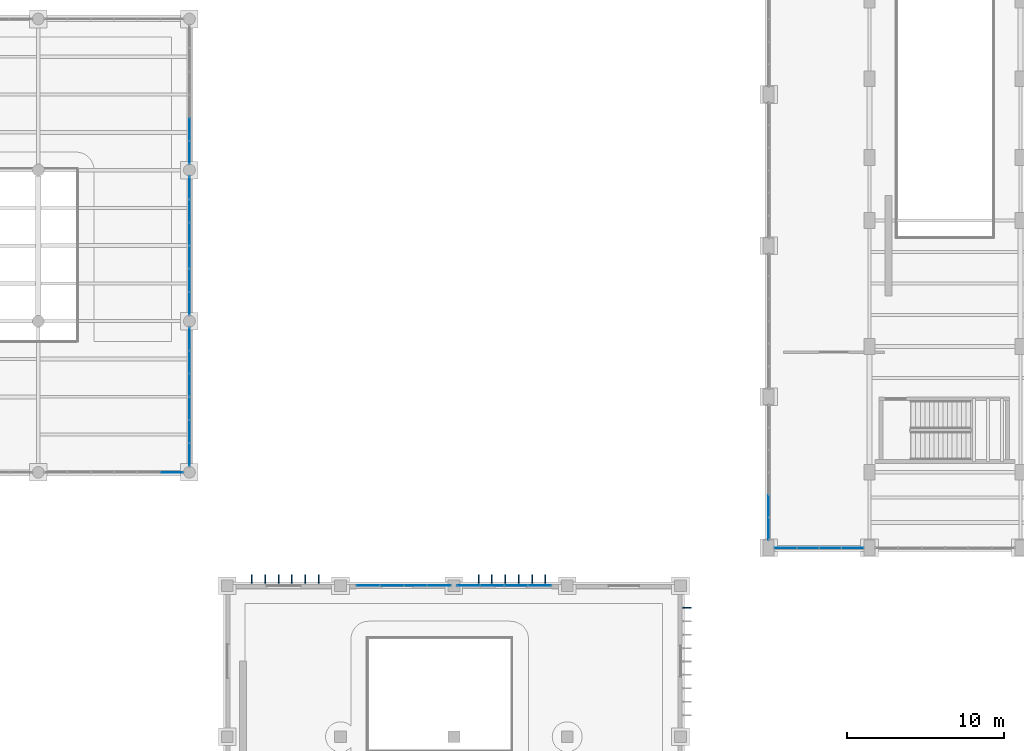
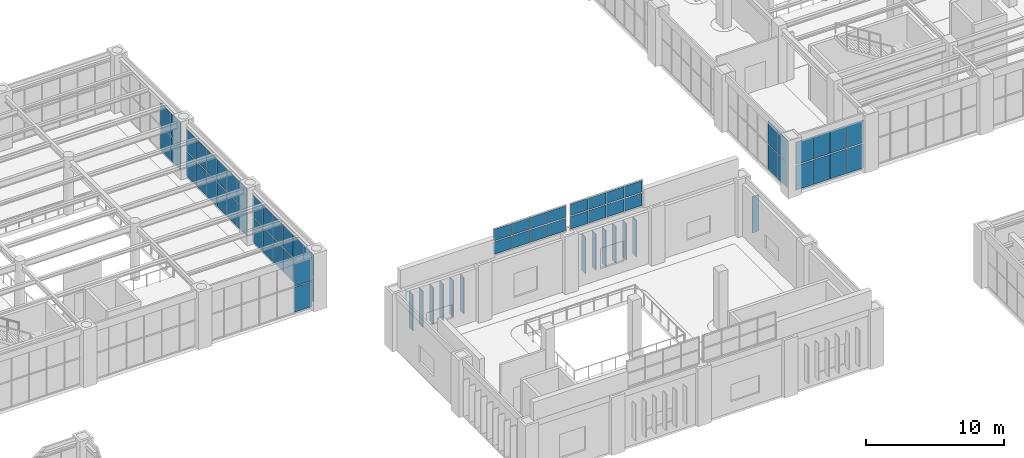
# One storey, part 128 of 174: 71 plates, 8 elements without a shape of their own.
"""IFC4 building model written with IfcOpenShell, lengths in metres."""

from ifc_helpers import new_model, si_unit, direction, frame, origin, origin_2d, place, context, subcontext, project, spatial, rectangle, extrude, material, layer, layer_set, type_object, element, aggregate, save


model = new_model("IFC4")

# Units and contexts
model_context = context("Model", 3, precision=1e-05, world=origin(), true_north=direction((0.0, 1.0)))
body_context = subcontext(model_context, "Body", "Model", "MODEL_VIEW")
ifc_project = project(units=[si_unit("LENGTHUNIT", "METRE"), si_unit("AREAUNIT", "SQUARE_METRE"), si_unit("VOLUMEUNIT", "CUBIC_METRE"), si_unit("PLANEANGLEUNIT", "RADIAN"), si_unit("MASSUNIT", "GRAM", prefix="KILO")], contexts=[model_context])

# Site, building, storey
site_placement = place(None, origin())
site = spatial("IfcSite", under=ifc_project, at=site_placement, CompositionType="ELEMENT")
building_placement = place(site_placement, origin())
building = spatial("IfcBuilding", under=site, at=building_placement, Name="Mavantir Sound Aquarium", CompositionType="ELEMENT")
storey_placement = place(building_placement, frame((0.0, 0.0, 5.39990234375)))
storey = spatial("IfcBuildingStorey", under=building, at=storey_placement, Name="L01", CompositionType="ELEMENT", Elevation=5.39990234375)

# Curtain wall, plates
ifc_material_1 = material(Name="Anodised Marine Aluminium and Low-E Glass", Category="aluminium")
curtain_wall_type_1 = type_object("IfcCurtainWallType", Name="CW-T07", PredefinedType="USERDEFINED", material=ifc_material_1)
curtain_wall_1_placement = place(storey_placement, origin())
curtain_wall_1 = element("IfcCurtainWall", 1, at=curtain_wall_1_placement, inside=storey, type_object=curtain_wall_type_1, Name="L01 unitised curtain wall CW-07 55", ObjectType="UNITISED GLAZING", PredefinedType="USERDEFINED")
ifc_material_2 = material(Name="Solar-Control Laminated Low-E Glass", Category="glass")
ifc_layer_1 = layer(ifc_material_2, 0.028076171875, Name="Solar-Control Laminated Low-E Glass")
ifc_layer_set_1 = layer_set([ifc_layer_1], Name="Solar-Control Laminated Low-E Glass")
plate_type_1 = type_object("IfcPlateType", Name="CW-PNL-28", PredefinedType="CURTAIN_PANEL", material=ifc_layer_set_1)
plate_1_placement = place(storey_placement, frame((64.800048828125, 41.919189453125, 0.10302734375), z_axis=(0.0, 0.0, 1.0), x_axis=(0.0, 1.0, 0.0)))
plate_1 = element("IfcPlate", 2, at=plate_1_placement, type_object=plate_type_1, Name="CW-L01-055 glazed curtain panel 1.1", PredefinedType="CURTAIN_PANEL", context=body_context, shape_type="SweptSolid", body=[
    extrude(rectangle(XDim=1.42431640625, YDim=0.028076171875, at=origin_2d()), origin(), (0.0, 0.0, 1.0), 2.10009765625),
])
plate_2_placement = place(storey_placement, frame((64.800048828125, 41.919189453125, 2.29931640625), z_axis=(0.0, 0.0, 1.0), x_axis=(0.0, 1.0, 0.0)))
plate_2 = element("IfcPlate", 3, at=plate_2_placement, type_object=plate_type_1, Name="CW-L01-055 glazed curtain panel 1.2", PredefinedType="CURTAIN_PANEL", context=body_context, shape_type="SweptSolid", body=[
    extrude(rectangle(XDim=1.42431640625, YDim=0.028076171875, at=origin_2d()), origin(), (0.0, 0.0, 1.0), 1.927001953125),
])
plate_3_placement = place(storey_placement, frame((64.800048828125, 43.3916015625, 0.10302734375), z_axis=(0.0, 0.0, 1.0), x_axis=(0.0, 1.0, 0.0)))
plate_3 = element("IfcPlate", 4, at=plate_3_placement, type_object=plate_type_1, Name="CW-L01-055 glazed curtain panel 2.1", PredefinedType="CURTAIN_PANEL", context=body_context, shape_type="SweptSolid", body=[
    extrude(rectangle(XDim=1.42431640625, YDim=0.028076171875, at=origin_2d()), origin(), (0.0, 0.0, 1.0), 2.10009765625),
])
plate_4_placement = place(storey_placement, frame((64.800048828125, 43.3916015625, 2.29931640625), z_axis=(0.0, 0.0, 1.0), x_axis=(0.0, 1.0, 0.0)))
plate_4 = element("IfcPlate", 5, at=plate_4_placement, type_object=plate_type_1, Name="CW-L01-055 glazed curtain panel 2.2", PredefinedType="CURTAIN_PANEL", context=body_context, shape_type="SweptSolid", body=[
    extrude(rectangle(XDim=1.42431640625, YDim=0.028076171875, at=origin_2d()), origin(), (0.0, 0.0, 1.0), 1.927001953125),
])
plate_5_placement = place(storey_placement, frame((64.800048828125, 44.86376953125, 0.10302734375), z_axis=(0.0, 0.0, 1.0), x_axis=(0.0, 1.0, 0.0)))
plate_5 = element("IfcPlate", 6, at=plate_5_placement, type_object=plate_type_1, Name="CW-L01-055 glazed curtain panel 3.1", PredefinedType="CURTAIN_PANEL", context=body_context, shape_type="SweptSolid", body=[
    extrude(rectangle(XDim=1.42431640625, YDim=0.028076171875, at=origin_2d()), origin(), (0.0, 0.0, 1.0), 2.10009765625),
])
plate_6_placement = place(storey_placement, frame((64.800048828125, 44.86376953125, 2.29931640625), z_axis=(0.0, 0.0, 1.0), x_axis=(0.0, 1.0, 0.0)))
plate_6 = element("IfcPlate", 7, at=plate_6_placement, type_object=plate_type_1, Name="CW-L01-055 glazed curtain panel 3.2", PredefinedType="CURTAIN_PANEL", context=body_context, shape_type="SweptSolid", body=[
    extrude(rectangle(XDim=1.42431640625, YDim=0.028076171875, at=origin_2d()), origin(), (0.0, 0.0, 1.0), 1.927001953125),
])
plate_7_placement = place(storey_placement, frame((64.800048828125, 46.336181640625, 0.10302734375), z_axis=(0.0, 0.0, 1.0), x_axis=(0.0, 1.0, 0.0)))
plate_7 = element("IfcPlate", 8, at=plate_7_placement, type_object=plate_type_1, Name="CW-L01-055 glazed curtain panel 4.1", PredefinedType="CURTAIN_PANEL", context=body_context, shape_type="SweptSolid", body=[
    extrude(rectangle(XDim=1.42431640625, YDim=0.028076171875, at=origin_2d()), origin(), (0.0, 0.0, 1.0), 2.10009765625),
])
plate_8_placement = place(storey_placement, frame((64.800048828125, 46.336181640625, 2.29931640625), z_axis=(0.0, 0.0, 1.0), x_axis=(0.0, 1.0, 0.0)))
plate_8 = element("IfcPlate", 9, at=plate_8_placement, type_object=plate_type_1, Name="CW-L01-055 glazed curtain panel 4.2", PredefinedType="CURTAIN_PANEL", context=body_context, shape_type="SweptSolid", body=[
    extrude(rectangle(XDim=1.42431640625, YDim=0.028076171875, at=origin_2d()), origin(), (0.0, 0.0, 1.0), 1.927001953125),
])
plate_9_placement = place(storey_placement, frame((64.800048828125, 47.80859375, 0.10302734375), z_axis=(0.0, 0.0, 1.0), x_axis=(0.0, 1.0, 0.0)))
plate_9 = element("IfcPlate", 10, at=plate_9_placement, type_object=plate_type_1, Name="CW-L01-055 glazed curtain panel 5.1", PredefinedType="CURTAIN_PANEL", context=body_context, shape_type="SweptSolid", body=[
    extrude(rectangle(XDim=1.42431640625, YDim=0.028076171875, at=origin_2d()), origin(), (0.0, 0.0, 1.0), 2.10009765625),
])
plate_10_placement = place(storey_placement, frame((64.800048828125, 47.80859375, 2.29931640625), z_axis=(0.0, 0.0, 1.0), x_axis=(0.0, 1.0, 0.0)))
plate_10 = element("IfcPlate", 11, at=plate_10_placement, type_object=plate_type_1, Name="CW-L01-055 glazed curtain panel 5.2", PredefinedType="CURTAIN_PANEL", context=body_context, shape_type="SweptSolid", body=[
    extrude(rectangle(XDim=1.42431640625, YDim=0.028076171875, at=origin_2d()), origin(), (0.0, 0.0, 1.0), 1.927001953125),
])
plate_11_placement = place(storey_placement, frame((64.800048828125, 49.28076171875, 0.10302734375), z_axis=(0.0, 0.0, 1.0), x_axis=(0.0, 1.0, 0.0)))
plate_11 = element("IfcPlate", 12, at=plate_11_placement, type_object=plate_type_1, Name="CW-L01-055 glazed curtain panel 6.1", PredefinedType="CURTAIN_PANEL", context=body_context, shape_type="SweptSolid", body=[
    extrude(rectangle(XDim=1.42431640625, YDim=0.028076171875, at=origin_2d()), origin(), (0.0, 0.0, 1.0), 2.10009765625),
])
plate_12_placement = place(storey_placement, frame((64.800048828125, 49.28076171875, 2.29931640625), z_axis=(0.0, 0.0, 1.0), x_axis=(0.0, 1.0, 0.0)))
plate_12 = element("IfcPlate", 13, at=plate_12_placement, type_object=plate_type_1, Name="CW-L01-055 glazed curtain panel 6.2", PredefinedType="CURTAIN_PANEL", context=body_context, shape_type="SweptSolid", body=[
    extrude(rectangle(XDim=1.42431640625, YDim=0.028076171875, at=origin_2d()), origin(), (0.0, 0.0, 1.0), 1.927001953125),
])
aggregate(curtain_wall_1, [plate_1, plate_2, plate_3, plate_4, plate_5, plate_6, plate_7, plate_8, plate_9, plate_10, plate_11, plate_12])

curtain_wall_type_2 = type_object("IfcCurtainWallType", Name="CW-T09", PredefinedType="USERDEFINED", material=ifc_material_1)
curtain_wall_2_placement = place(storey_placement, origin())
curtain_wall_2 = element("IfcCurtainWall", 14, at=curtain_wall_2_placement, inside=storey, type_object=curtain_wall_type_2, Name="L01 unitised curtain wall CW-09 57", ObjectType="UNITISED GLAZING", PredefinedType="USERDEFINED")
plate_13_placement = place(storey_placement, frame((64.800048828125, 61.119140625, 0.10302734375), z_axis=(0.0, 0.0, 1.0), x_axis=(0.0, 1.0, 0.0)))
plate_13 = element("IfcPlate", 15, at=plate_13_placement, type_object=plate_type_1, Name="CW-L01-057 glazed curtain panel 1.1", PredefinedType="CURTAIN_PANEL", context=body_context, shape_type="SweptSolid", body=[
    extrude(rectangle(XDim=1.42431640625, YDim=0.028076171875, at=origin_2d()), origin(), (0.0, 0.0, 1.0), 2.13330078125),
])
plate_14_placement = place(storey_placement, frame((64.800048828125, 61.119140625, 2.33251953125), z_axis=(0.0, 0.0, 1.0), x_axis=(0.0, 1.0, 0.0)))
plate_14 = element("IfcPlate", 16, at=plate_14_placement, type_object=plate_type_1, Name="CW-L01-057 glazed curtain panel 1.2", PredefinedType="CURTAIN_PANEL", context=body_context, shape_type="SweptSolid", body=[
    extrude(rectangle(XDim=1.42431640625, YDim=0.028076171875, at=origin_2d()), origin(), (0.0, 0.0, 1.0), 1.95751953125),
])
plate_15_placement = place(storey_placement, frame((64.800048828125, 62.591552734375, 0.10302734375), z_axis=(0.0, 0.0, 1.0), x_axis=(0.0, 1.0, 0.0)))
plate_15 = element("IfcPlate", 17, at=plate_15_placement, type_object=plate_type_1, Name="CW-L01-057 glazed curtain panel 2.1", PredefinedType="CURTAIN_PANEL", context=body_context, shape_type="SweptSolid", body=[
    extrude(rectangle(XDim=1.42431640625, YDim=0.028076171875, at=origin_2d()), origin(), (0.0, 0.0, 1.0), 2.13330078125),
])
plate_16_placement = place(storey_placement, frame((64.800048828125, 62.591552734375, 2.33251953125), z_axis=(0.0, 0.0, 1.0), x_axis=(0.0, 1.0, 0.0)))
plate_16 = element("IfcPlate", 18, at=plate_16_placement, type_object=plate_type_1, Name="CW-L01-057 glazed curtain panel 2.2", PredefinedType="CURTAIN_PANEL", context=body_context, shape_type="SweptSolid", body=[
    extrude(rectangle(XDim=1.42431640625, YDim=0.028076171875, at=origin_2d()), origin(), (0.0, 0.0, 1.0), 1.95751953125),
])
aggregate(curtain_wall_2, [plate_13, plate_14, plate_15, plate_16])

curtain_wall_type_3 = type_object("IfcCurtainWallType", Name="CW-T01", PredefinedType="USERDEFINED", material=ifc_material_1)
curtain_wall_3_placement = place(storey_placement, origin())
curtain_wall_3 = element("IfcCurtainWall", 19, at=curtain_wall_3_placement, inside=storey, type_object=curtain_wall_type_3, Name="L01 unitised curtain wall CW-01 97", ObjectType="UNITISED GLAZING", PredefinedType="USERDEFINED")
plate_17_placement = place(storey_placement, frame((102.66845703125, 36.0, 0.10302734375), z_axis=(0.0, 0.0, 1.0), x_axis=(1.0, 0.0, 0.0)))
plate_17 = element("IfcPlate", 20, at=plate_17_placement, type_object=plate_type_1, Name="CW-L01-097 glazed curtain panel 1.1", PredefinedType="CURTAIN_PANEL", context=body_context, shape_type="SweptSolid", body=[
    extrude(rectangle(XDim=1.373046875, YDim=0.028076171875, at=origin_2d()), origin(), (0.0, 0.0, 1.0), 2.15673828125),
])
plate_18_placement = place(storey_placement, frame((102.66845703125, 36.0, 2.35595703125), z_axis=(0.0, 0.0, 1.0), x_axis=(1.0, 0.0, 0.0)))
plate_18 = element("IfcPlate", 21, at=plate_18_placement, type_object=plate_type_1, Name="CW-L01-097 glazed curtain panel 1.2", PredefinedType="CURTAIN_PANEL", context=body_context, shape_type="SweptSolid", body=[
    extrude(rectangle(XDim=1.373046875, YDim=0.028076171875, at=origin_2d()), origin(), (0.0, 0.0, 1.0), 1.979248046875),
])
plate_19_placement = place(storey_placement, frame((104.089599609375, 36.0, 0.10302734375), z_axis=(0.0, 0.0, 1.0), x_axis=(1.0, 0.0, 0.0)))
plate_19 = element("IfcPlate", 22, at=plate_19_placement, type_object=plate_type_1, Name="CW-L01-097 glazed curtain panel 2.1", PredefinedType="CURTAIN_PANEL", context=body_context, shape_type="SweptSolid", body=[
    extrude(rectangle(XDim=1.373046875, YDim=0.028076171875, at=origin_2d()), origin(), (0.0, 0.0, 1.0), 2.15673828125),
])
plate_20_placement = place(storey_placement, frame((104.089599609375, 36.0, 2.35595703125), z_axis=(0.0, 0.0, 1.0), x_axis=(1.0, 0.0, 0.0)))
plate_20 = element("IfcPlate", 23, at=plate_20_placement, type_object=plate_type_1, Name="CW-L01-097 glazed curtain panel 2.2", PredefinedType="CURTAIN_PANEL", context=body_context, shape_type="SweptSolid", body=[
    extrude(rectangle(XDim=1.373046875, YDim=0.028076171875, at=origin_2d()), origin(), (0.0, 0.0, 1.0), 1.979248046875),
])
plate_21_placement = place(storey_placement, frame((105.510498046875, 36.0, 0.10302734375), z_axis=(0.0, 0.0, 1.0), x_axis=(1.0, 0.0, 0.0)))
plate_21 = element("IfcPlate", 24, at=plate_21_placement, type_object=plate_type_1, Name="CW-L01-097 glazed curtain panel 3.1", PredefinedType="CURTAIN_PANEL", context=body_context, shape_type="SweptSolid", body=[
    extrude(rectangle(XDim=1.373046875, YDim=0.028076171875, at=origin_2d()), origin(), (0.0, 0.0, 1.0), 2.15673828125),
])
plate_22_placement = place(storey_placement, frame((105.510498046875, 36.0, 2.35595703125), z_axis=(0.0, 0.0, 1.0), x_axis=(1.0, 0.0, 0.0)))
plate_22 = element("IfcPlate", 25, at=plate_22_placement, type_object=plate_type_1, Name="CW-L01-097 glazed curtain panel 3.2", PredefinedType="CURTAIN_PANEL", context=body_context, shape_type="SweptSolid", body=[
    extrude(rectangle(XDim=1.373046875, YDim=0.028076171875, at=origin_2d()), origin(), (0.0, 0.0, 1.0), 1.979248046875),
])
plate_23_placement = place(storey_placement, frame((106.931396484375, 36.0, 0.10302734375), z_axis=(0.0, 0.0, 1.0), x_axis=(1.0, 0.0, 0.0)))
plate_23 = element("IfcPlate", 26, at=plate_23_placement, type_object=plate_type_1, Name="CW-L01-097 glazed curtain panel 4.1", PredefinedType="CURTAIN_PANEL", context=body_context, shape_type="SweptSolid", body=[
    extrude(rectangle(XDim=1.373046875, YDim=0.028076171875, at=origin_2d()), origin(), (0.0, 0.0, 1.0), 2.15673828125),
])
plate_24_placement = place(storey_placement, frame((106.931396484375, 36.0, 2.35595703125), z_axis=(0.0, 0.0, 1.0), x_axis=(1.0, 0.0, 0.0)))
plate_24 = element("IfcPlate", 27, at=plate_24_placement, type_object=plate_type_1, Name="CW-L01-097 glazed curtain panel 4.2", PredefinedType="CURTAIN_PANEL", context=body_context, shape_type="SweptSolid", body=[
    extrude(rectangle(XDim=1.373046875, YDim=0.028076171875, at=origin_2d()), origin(), (0.0, 0.0, 1.0), 1.979248046875),
])
aggregate(curtain_wall_3, [plate_17, plate_18, plate_19, plate_20, plate_21, plate_22, plate_23, plate_24])

curtain_wall_type_4 = type_object("IfcCurtainWallType", Name="CW-T18", PredefinedType="USERDEFINED", material=ifc_material_1)
curtain_wall_4_placement = place(storey_placement, origin())
curtain_wall_4 = element("IfcCurtainWall", 28, at=curtain_wall_4_placement, inside=storey, type_object=curtain_wall_type_4, Name="L01 unitised curtain wall CW-18 185", ObjectType="UNITISED GLAZING", PredefinedType="USERDEFINED")
plate_25_placement = place(storey_placement, frame((76.152587890625, 33.60009765625, 5.203125), z_axis=(0.0, 0.0, 1.0), x_axis=(1.0, 0.0, 0.0)))
plate_25 = element("IfcPlate", 29, at=plate_25_placement, type_object=plate_type_1, Name="CW-V7LUN-NW glazed curtain panel 1.1", PredefinedType="CURTAIN_PANEL", context=body_context, shape_type="SweptSolid", body=[
    extrude(rectangle(XDim=1.45703125, YDim=0.028076171875, at=origin_2d()), origin(), (0.0, 0.0, 1.0), 1.096923828125),
])
plate_26_placement = place(storey_placement, frame((76.152587890625, 33.60009765625, 6.39599609375), z_axis=(0.0, 0.0, 1.0), x_axis=(1.0, 0.0, 0.0)))
plate_26 = element("IfcPlate", 30, at=plate_26_placement, type_object=plate_type_1, Name="CW-V7LUN-NW glazed curtain panel 1.2", PredefinedType="CURTAIN_PANEL", context=body_context, shape_type="SweptSolid", body=[
    extrude(rectangle(XDim=1.45703125, YDim=0.028076171875, at=origin_2d()), origin(), (0.0, 0.0, 1.0), 1.0009765625),
])
plate_27_placement = place(storey_placement, frame((77.657470703125, 33.60009765625, 5.203125), z_axis=(0.0, 0.0, 1.0), x_axis=(1.0, 0.0, 0.0)))
plate_27 = element("IfcPlate", 31, at=plate_27_placement, type_object=plate_type_1, Name="CW-V7LUN-NW glazed curtain panel 2.1", PredefinedType="CURTAIN_PANEL", context=body_context, shape_type="SweptSolid", body=[
    extrude(rectangle(XDim=1.45703125, YDim=0.028076171875, at=origin_2d()), origin(), (0.0, 0.0, 1.0), 1.096923828125),
])
plate_28_placement = place(storey_placement, frame((77.657470703125, 33.60009765625, 6.39599609375), z_axis=(0.0, 0.0, 1.0), x_axis=(1.0, 0.0, 0.0)))
plate_28 = element("IfcPlate", 32, at=plate_28_placement, type_object=plate_type_1, Name="CW-V7LUN-NW glazed curtain panel 2.2", PredefinedType="CURTAIN_PANEL", context=body_context, shape_type="SweptSolid", body=[
    extrude(rectangle(XDim=1.45703125, YDim=0.028076171875, at=origin_2d()), origin(), (0.0, 0.0, 1.0), 1.0009765625),
])
plate_29_placement = place(storey_placement, frame((79.16259765625, 33.60009765625, 5.203125), z_axis=(0.0, 0.0, 1.0), x_axis=(1.0, 0.0, 0.0)))
plate_29 = element("IfcPlate", 33, at=plate_29_placement, type_object=plate_type_1, Name="CW-V7LUN-NW glazed curtain panel 3.1", PredefinedType="CURTAIN_PANEL", context=body_context, shape_type="SweptSolid", body=[
    extrude(rectangle(XDim=1.45703125, YDim=0.028076171875, at=origin_2d()), origin(), (0.0, 0.0, 1.0), 1.096923828125),
])
plate_30_placement = place(storey_placement, frame((79.16259765625, 33.60009765625, 6.39599609375), z_axis=(0.0, 0.0, 1.0), x_axis=(1.0, 0.0, 0.0)))
plate_30 = element("IfcPlate", 34, at=plate_30_placement, type_object=plate_type_1, Name="CW-V7LUN-NW glazed curtain panel 3.2", PredefinedType="CURTAIN_PANEL", context=body_context, shape_type="SweptSolid", body=[
    extrude(rectangle(XDim=1.45703125, YDim=0.028076171875, at=origin_2d()), origin(), (0.0, 0.0, 1.0), 1.0009765625),
])
plate_31_placement = place(storey_placement, frame((80.66748046875, 33.60009765625, 5.203125), z_axis=(0.0, 0.0, 1.0), x_axis=(1.0, 0.0, 0.0)))
plate_31 = element("IfcPlate", 35, at=plate_31_placement, type_object=plate_type_1, Name="CW-V7LUN-NW glazed curtain panel 4.1", PredefinedType="CURTAIN_PANEL", context=body_context, shape_type="SweptSolid", body=[
    extrude(rectangle(XDim=1.45703125, YDim=0.028076171875, at=origin_2d()), origin(), (0.0, 0.0, 1.0), 1.096923828125),
])
plate_32_placement = place(storey_placement, frame((80.66748046875, 33.60009765625, 6.39599609375), z_axis=(0.0, 0.0, 1.0), x_axis=(1.0, 0.0, 0.0)))
plate_32 = element("IfcPlate", 36, at=plate_32_placement, type_object=plate_type_1, Name="CW-V7LUN-NW glazed curtain panel 4.2", PredefinedType="CURTAIN_PANEL", context=body_context, shape_type="SweptSolid", body=[
    extrude(rectangle(XDim=1.45703125, YDim=0.028076171875, at=origin_2d()), origin(), (0.0, 0.0, 1.0), 1.0009765625),
])
aggregate(curtain_wall_4, [plate_25, plate_26, plate_27, plate_28, plate_29, plate_30, plate_31, plate_32])

curtain_wall_type_5 = type_object("IfcCurtainWallType", Name="CW-T08", PredefinedType="USERDEFINED", material=ifc_material_1)
curtain_wall_5_placement = place(storey_placement, origin())
curtain_wall_5 = element("IfcCurtainWall", 37, at=curtain_wall_5_placement, inside=storey, type_object=curtain_wall_type_5, Name="L01 unitised curtain wall CW-08 56", ObjectType="UNITISED GLAZING", PredefinedType="USERDEFINED")
ifc_layer_2 = layer(ifc_material_2, 0.031982421875, Name="Solar-Control Laminated Low-E Glass")
ifc_layer_set_2 = layer_set([ifc_layer_2], Name="Solar-Control Laminated Low-E Glass")
plate_type_2 = type_object("IfcPlateType", Name="CW-PNL-32", PredefinedType="CURTAIN_PANEL", material=ifc_layer_set_2)
plate_33_placement = place(storey_placement, frame((64.800048828125, 51.519287109375, 0.10302734375), z_axis=(0.0, 0.0, 1.0), x_axis=(0.0, 1.0, 0.0)))
plate_33 = element("IfcPlate", 38, at=plate_33_placement, type_object=plate_type_2, Name="CW-L01-056 glazed curtain panel 1.1", PredefinedType="CURTAIN_PANEL", context=body_context, shape_type="SweptSolid", body=[
    extrude(rectangle(XDim=1.42431640625, YDim=0.031982421875, at=origin_2d()), origin(), (0.0, 0.0, 1.0), 2.10009765625),
])
plate_34_placement = place(storey_placement, frame((64.800048828125, 51.519287109375, 2.29931640625), z_axis=(0.0, 0.0, 1.0), x_axis=(0.0, 1.0, 0.0)))
plate_34 = element("IfcPlate", 39, at=plate_34_placement, type_object=plate_type_2, Name="CW-L01-056 glazed curtain panel 1.2", PredefinedType="CURTAIN_PANEL", context=body_context, shape_type="SweptSolid", body=[
    extrude(rectangle(XDim=1.42431640625, YDim=0.031982421875, at=origin_2d()), origin(), (0.0, 0.0, 1.0), 1.927001953125),
])
plate_35_placement = place(storey_placement, frame((64.800048828125, 52.991455078125, 0.10302734375), z_axis=(0.0, 0.0, 1.0), x_axis=(0.0, 1.0, 0.0)))
plate_35 = element("IfcPlate", 40, at=plate_35_placement, type_object=plate_type_2, Name="CW-L01-056 glazed curtain panel 2.1", PredefinedType="CURTAIN_PANEL", context=body_context, shape_type="SweptSolid", body=[
    extrude(rectangle(XDim=1.42431640625, YDim=0.031982421875, at=origin_2d()), origin(), (0.0, 0.0, 1.0), 2.10009765625),
])
plate_36_placement = place(storey_placement, frame((64.800048828125, 52.991455078125, 2.29931640625), z_axis=(0.0, 0.0, 1.0), x_axis=(0.0, 1.0, 0.0)))
plate_36 = element("IfcPlate", 41, at=plate_36_placement, type_object=plate_type_2, Name="CW-L01-056 glazed curtain panel 2.2", PredefinedType="CURTAIN_PANEL", context=body_context, shape_type="SweptSolid", body=[
    extrude(rectangle(XDim=1.42431640625, YDim=0.031982421875, at=origin_2d()), origin(), (0.0, 0.0, 1.0), 1.927001953125),
])
plate_37_placement = place(storey_placement, frame((64.800048828125, 54.4638671875, 0.10302734375), z_axis=(0.0, 0.0, 1.0), x_axis=(0.0, 1.0, 0.0)))
plate_37 = element("IfcPlate", 42, at=plate_37_placement, type_object=plate_type_2, Name="CW-L01-056 glazed curtain panel 3.1", PredefinedType="CURTAIN_PANEL", context=body_context, shape_type="SweptSolid", body=[
    extrude(rectangle(XDim=1.42431640625, YDim=0.031982421875, at=origin_2d()), origin(), (0.0, 0.0, 1.0), 2.10009765625),
])
plate_38_placement = place(storey_placement, frame((64.800048828125, 54.4638671875, 2.29931640625), z_axis=(0.0, 0.0, 1.0), x_axis=(0.0, 1.0, 0.0)))
plate_38 = element("IfcPlate", 43, at=plate_38_placement, type_object=plate_type_2, Name="CW-L01-056 glazed curtain panel 3.2", PredefinedType="CURTAIN_PANEL", context=body_context, shape_type="SweptSolid", body=[
    extrude(rectangle(XDim=1.42431640625, YDim=0.031982421875, at=origin_2d()), origin(), (0.0, 0.0, 1.0), 1.927001953125),
])
plate_39_placement = place(storey_placement, frame((64.800048828125, 55.936279296875, 0.10302734375), z_axis=(0.0, 0.0, 1.0), x_axis=(0.0, 1.0, 0.0)))
plate_39 = element("IfcPlate", 44, at=plate_39_placement, type_object=plate_type_2, Name="CW-L01-056 glazed curtain panel 4.1", PredefinedType="CURTAIN_PANEL", context=body_context, shape_type="SweptSolid", body=[
    extrude(rectangle(XDim=1.42431640625, YDim=0.031982421875, at=origin_2d()), origin(), (0.0, 0.0, 1.0), 2.10009765625),
])
plate_40_placement = place(storey_placement, frame((64.800048828125, 55.936279296875, 2.29931640625), z_axis=(0.0, 0.0, 1.0), x_axis=(0.0, 1.0, 0.0)))
plate_40 = element("IfcPlate", 45, at=plate_40_placement, type_object=plate_type_2, Name="CW-L01-056 glazed curtain panel 4.2", PredefinedType="CURTAIN_PANEL", context=body_context, shape_type="SweptSolid", body=[
    extrude(rectangle(XDim=1.42431640625, YDim=0.031982421875, at=origin_2d()), origin(), (0.0, 0.0, 1.0), 1.927001953125),
])
plate_41_placement = place(storey_placement, frame((64.800048828125, 57.408447265625, 0.10302734375), z_axis=(0.0, 0.0, 1.0), x_axis=(0.0, 1.0, 0.0)))
plate_41 = element("IfcPlate", 46, at=plate_41_placement, type_object=plate_type_2, Name="CW-L01-056 glazed curtain panel 5.1", PredefinedType="CURTAIN_PANEL", context=body_context, shape_type="SweptSolid", body=[
    extrude(rectangle(XDim=1.42431640625, YDim=0.031982421875, at=origin_2d()), origin(), (0.0, 0.0, 1.0), 2.10009765625),
])
plate_42_placement = place(storey_placement, frame((64.800048828125, 57.408447265625, 2.29931640625), z_axis=(0.0, 0.0, 1.0), x_axis=(0.0, 1.0, 0.0)))
plate_42 = element("IfcPlate", 47, at=plate_42_placement, type_object=plate_type_2, Name="CW-L01-056 glazed curtain panel 5.2", PredefinedType="CURTAIN_PANEL", context=body_context, shape_type="SweptSolid", body=[
    extrude(rectangle(XDim=1.42431640625, YDim=0.031982421875, at=origin_2d()), origin(), (0.0, 0.0, 1.0), 1.927001953125),
])
plate_43_placement = place(storey_placement, frame((64.800048828125, 58.880859375, 0.10302734375), z_axis=(0.0, 0.0, 1.0), x_axis=(0.0, 1.0, 0.0)))
plate_43 = element("IfcPlate", 48, at=plate_43_placement, type_object=plate_type_2, Name="CW-L01-056 glazed curtain panel 6.1", PredefinedType="CURTAIN_PANEL", context=body_context, shape_type="SweptSolid", body=[
    extrude(rectangle(XDim=1.42431640625, YDim=0.031982421875, at=origin_2d()), origin(), (0.0, 0.0, 1.0), 2.10009765625),
])
plate_44_placement = place(storey_placement, frame((64.800048828125, 58.880859375, 2.29931640625), z_axis=(0.0, 0.0, 1.0), x_axis=(0.0, 1.0, 0.0)))
plate_44 = element("IfcPlate", 49, at=plate_44_placement, type_object=plate_type_2, Name="CW-L01-056 glazed curtain panel 6.2", PredefinedType="CURTAIN_PANEL", context=body_context, shape_type="SweptSolid", body=[
    extrude(rectangle(XDim=1.42431640625, YDim=0.031982421875, at=origin_2d()), origin(), (0.0, 0.0, 1.0), 1.927001953125),
])
aggregate(curtain_wall_5, [plate_33, plate_34, plate_35, plate_36, plate_37, plate_38, plate_39, plate_40, plate_41, plate_42, plate_43, plate_44])

curtain_wall_6_placement = place(storey_placement, origin())
curtain_wall_6 = element("IfcCurtainWall", 50, at=curtain_wall_6_placement, inside=storey, type_object=curtain_wall_type_4, Name="L01 unitised curtain wall CW-18 66", ObjectType="UNITISED GLAZING", PredefinedType="USERDEFINED")
plate_45_placement = place(storey_placement, frame((63.680908203125, 40.800048828125, 0.10302734375), z_axis=(0.0, 0.0, 1.0), x_axis=(1.0, 0.0, 0.0)))
plate_45 = element("IfcPlate", 51, at=plate_45_placement, type_object=plate_type_2, Name="CW-L01-066 glazed curtain panel 6.1", PredefinedType="CURTAIN_PANEL", context=body_context, shape_type="SweptSolid", body=[
    extrude(rectangle(XDim=1.42431640625, YDim=0.031982421875, at=origin_2d()), origin(), (0.0, 0.0, 1.0), 2.21142578125),
])
plate_46_placement = place(storey_placement, frame((63.680908203125, 40.800048828125, 2.41064453125), z_axis=(0.0, 0.0, 1.0), x_axis=(1.0, 0.0, 0.0)))
plate_46 = element("IfcPlate", 52, at=plate_46_placement, type_object=plate_type_2, Name="CW-L01-066 glazed curtain panel 6.2", PredefinedType="CURTAIN_PANEL", context=body_context, shape_type="SweptSolid", body=[
    extrude(rectangle(XDim=1.42431640625, YDim=0.031982421875, at=origin_2d()), origin(), (0.0, 0.0, 1.0), 2.029541015625),
])
aggregate(curtain_wall_6, [plate_45, plate_46])

curtain_wall_type_6 = type_object("IfcCurtainWallType", Name="CW-T24", PredefinedType="USERDEFINED", material=ifc_material_1)
curtain_wall_7_placement = place(storey_placement, origin())
curtain_wall_7 = element("IfcCurtainWall", 53, at=curtain_wall_7_placement, inside=storey, type_object=curtain_wall_type_6, Name="L01 unitised curtain wall CW-24 96", ObjectType="UNITISED GLAZING", PredefinedType="USERDEFINED")
plate_47_placement = place(storey_placement, frame((101.60009765625, 38.654052734375, 0.10302734375), z_axis=(0.0, 0.0, 1.0), x_axis=(0.0, -1.0, 0.0)))
plate_47 = element("IfcPlate", 54, at=plate_47_placement, type_object=plate_type_2, Name="CW-L01-096 glazed curtain panel 5.1", PredefinedType="CURTAIN_PANEL", context=body_context, shape_type="SweptSolid", body=[
    extrude(rectangle(XDim=1.3828125, YDim=0.031982421875, at=origin_2d()), origin(), (0.0, 0.0, 1.0), 2.160888671875),
])
plate_48_placement = place(storey_placement, frame((101.60009765625, 38.654052734375, 2.35986328125), z_axis=(0.0, 0.0, 1.0), x_axis=(0.0, -1.0, 0.0)))
plate_48 = element("IfcPlate", 55, at=plate_48_placement, type_object=plate_type_2, Name="CW-L01-096 glazed curtain panel 5.2", PredefinedType="CURTAIN_PANEL", context=body_context, shape_type="SweptSolid", body=[
    extrude(rectangle(XDim=1.3828125, YDim=0.031982421875, at=origin_2d()), origin(), (0.0, 0.0, 1.0), 1.983154296875),
])
plate_49_placement = place(storey_placement, frame((101.60009765625, 37.223388671875, 0.10302734375), z_axis=(0.0, 0.0, 1.0), x_axis=(0.0, -1.0, 0.0)))
plate_49 = element("IfcPlate", 56, at=plate_49_placement, type_object=plate_type_2, Name="CW-L01-096 glazed curtain panel 6.1", PredefinedType="CURTAIN_PANEL", context=body_context, shape_type="SweptSolid", body=[
    extrude(rectangle(XDim=1.3828125, YDim=0.031982421875, at=origin_2d()), origin(), (0.0, 0.0, 1.0), 2.160888671875),
])
plate_50_placement = place(storey_placement, frame((101.60009765625, 37.223388671875, 2.35986328125), z_axis=(0.0, 0.0, 1.0), x_axis=(0.0, -1.0, 0.0)))
plate_50 = element("IfcPlate", 57, at=plate_50_placement, type_object=plate_type_2, Name="CW-L01-096 glazed curtain panel 6.2", PredefinedType="CURTAIN_PANEL", context=body_context, shape_type="SweptSolid", body=[
    extrude(rectangle(XDim=1.3828125, YDim=0.031982421875, at=origin_2d()), origin(), (0.0, 0.0, 1.0), 1.983154296875),
])
aggregate(curtain_wall_7, [plate_47, plate_48, plate_49, plate_50])

curtain_wall_type_7 = type_object("IfcCurtainWallType", Name="CW-T19", PredefinedType="USERDEFINED", material=ifc_material_1)
curtain_wall_8_placement = place(storey_placement, origin())
curtain_wall_8 = element("IfcCurtainWall", 58, at=curtain_wall_8_placement, inside=storey, type_object=curtain_wall_type_7, Name="L01 unitised curtain wall CW-19 186", ObjectType="UNITISED GLAZING", PredefinedType="USERDEFINED")
plate_51_placement = place(storey_placement, frame((82.532470703125, 33.60009765625, 5.203125), z_axis=(0.0, 0.0, 1.0), x_axis=(1.0, 0.0, 0.0)))
plate_51 = element("IfcPlate", 59, at=plate_51_placement, type_object=plate_type_2, Name="CW-V7LUN-NE glazed curtain panel 1.1", PredefinedType="CURTAIN_PANEL", context=body_context, shape_type="SweptSolid", body=[
    extrude(rectangle(XDim=1.45703125, YDim=0.031982421875, at=origin_2d()), origin(), (0.0, 0.0, 1.0), 1.096923828125),
])
plate_52_placement = place(storey_placement, frame((82.532470703125, 33.60009765625, 6.39599609375), z_axis=(0.0, 0.0, 1.0), x_axis=(1.0, 0.0, 0.0)))
plate_52 = element("IfcPlate", 60, at=plate_52_placement, type_object=plate_type_2, Name="CW-V7LUN-NE glazed curtain panel 1.2", PredefinedType="CURTAIN_PANEL", context=body_context, shape_type="SweptSolid", body=[
    extrude(rectangle(XDim=1.45703125, YDim=0.031982421875, at=origin_2d()), origin(), (0.0, 0.0, 1.0), 1.0009765625),
])
plate_53_placement = place(storey_placement, frame((84.03759765625, 33.60009765625, 5.203125), z_axis=(0.0, 0.0, 1.0), x_axis=(1.0, 0.0, 0.0)))
plate_53 = element("IfcPlate", 61, at=plate_53_placement, type_object=plate_type_2, Name="CW-V7LUN-NE glazed curtain panel 2.1", PredefinedType="CURTAIN_PANEL", context=body_context, shape_type="SweptSolid", body=[
    extrude(rectangle(XDim=1.45703125, YDim=0.031982421875, at=origin_2d()), origin(), (0.0, 0.0, 1.0), 1.096923828125),
])
plate_54_placement = place(storey_placement, frame((84.03759765625, 33.60009765625, 6.39599609375), z_axis=(0.0, 0.0, 1.0), x_axis=(1.0, 0.0, 0.0)))
plate_54 = element("IfcPlate", 62, at=plate_54_placement, type_object=plate_type_2, Name="CW-V7LUN-NE glazed curtain panel 2.2", PredefinedType="CURTAIN_PANEL", context=body_context, shape_type="SweptSolid", body=[
    extrude(rectangle(XDim=1.45703125, YDim=0.031982421875, at=origin_2d()), origin(), (0.0, 0.0, 1.0), 1.0009765625),
])
plate_55_placement = place(storey_placement, frame((85.54248046875, 33.60009765625, 5.203125), z_axis=(0.0, 0.0, 1.0), x_axis=(1.0, 0.0, 0.0)))
plate_55 = element("IfcPlate", 63, at=plate_55_placement, type_object=plate_type_2, Name="CW-V7LUN-NE glazed curtain panel 3.1", PredefinedType="CURTAIN_PANEL", context=body_context, shape_type="SweptSolid", body=[
    extrude(rectangle(XDim=1.45703125, YDim=0.031982421875, at=origin_2d()), origin(), (0.0, 0.0, 1.0), 1.096923828125),
])
plate_56_placement = place(storey_placement, frame((85.54248046875, 33.60009765625, 6.39599609375), z_axis=(0.0, 0.0, 1.0), x_axis=(1.0, 0.0, 0.0)))
plate_56 = element("IfcPlate", 64, at=plate_56_placement, type_object=plate_type_2, Name="CW-V7LUN-NE glazed curtain panel 3.2", PredefinedType="CURTAIN_PANEL", context=body_context, shape_type="SweptSolid", body=[
    extrude(rectangle(XDim=1.45703125, YDim=0.031982421875, at=origin_2d()), origin(), (0.0, 0.0, 1.0), 1.0009765625),
])
plate_57_placement = place(storey_placement, frame((87.047607421875, 33.60009765625, 5.203125), z_axis=(0.0, 0.0, 1.0), x_axis=(1.0, 0.0, 0.0)))
plate_57 = element("IfcPlate", 65, at=plate_57_placement, type_object=plate_type_2, Name="CW-V7LUN-NE glazed curtain panel 4.1", PredefinedType="CURTAIN_PANEL", context=body_context, shape_type="SweptSolid", body=[
    extrude(rectangle(XDim=1.45703125, YDim=0.031982421875, at=origin_2d()), origin(), (0.0, 0.0, 1.0), 1.096923828125),
])
plate_58_placement = place(storey_placement, frame((87.047607421875, 33.60009765625, 6.39599609375), z_axis=(0.0, 0.0, 1.0), x_axis=(1.0, 0.0, 0.0)))
plate_58 = element("IfcPlate", 66, at=plate_58_placement, type_object=plate_type_2, Name="CW-V7LUN-NE glazed curtain panel 4.2", PredefinedType="CURTAIN_PANEL", context=body_context, shape_type="SweptSolid", body=[
    extrude(rectangle(XDim=1.45703125, YDim=0.031982421875, at=origin_2d()), origin(), (0.0, 0.0, 1.0), 1.0009765625),
])
aggregate(curtain_wall_8, [plate_51, plate_52, plate_53, plate_54, plate_55, plate_56, plate_57, plate_58])

# Plates
ifc_material_3 = material(Name="Coral-Limestone Composite Brise-Soleil Blade", Category="masonry")
ifc_layer_3 = layer(ifc_material_3, 0.06494140625, Name="Coral-Limestone Composite Brise-Soleil Blade")
ifc_layer_set_3 = layer_set([ifc_layer_3], Name="Coral-Limestone Composite Brise-Soleil Blade")
plate_type_3 = type_object("IfcPlateType", Name="PLT-FIN-520", PredefinedType="SHEET", material=ifc_layer_set_3)
for number, where, z_axis, x_axis, name in (
    (67, (96.409912109375, 32.18310546875, 0.70263671875), (0.0, 0.0, 1.0), (0.0, -1.0, 0.0), "Tropical coral-stone brise-soleil blade 82"),
    (68, (87.4169921875, 34.010009765625, 0.70263671875), (0.0, 0.0, 1.0), (1.0, 0.0, 0.0), "Tropical coral-stone brise-soleil blade 83"),
    (69, (86.56689453125, 34.010009765625, 0.70263671875), (0.0, 0.0, 1.0), (1.0, 0.0, 0.0), "Tropical coral-stone brise-soleil blade 84"),
    (70, (85.717041015625, 34.010009765625, 0.70263671875), (0.0, 0.0, 1.0), (1.0, 0.0, 0.0), "Tropical coral-stone brise-soleil blade 85"),
    (71, (84.866943359375, 34.010009765625, 0.70263671875), (0.0, 0.0, 1.0), (1.0, 0.0, 0.0), "Tropical coral-stone brise-soleil blade 86"),
    (72, (84.01708984375, 34.010009765625, 0.70263671875), (0.0, 0.0, 1.0), (1.0, 0.0, 0.0), "Tropical coral-stone brise-soleil blade 87"),
    (73, (83.1669921875, 34.010009765625, 0.70263671875), (0.0, 0.0, 1.0), (1.0, 0.0, 0.0), "Tropical coral-stone brise-soleil blade 88"),
    (74, (73.01708984375, 34.010009765625, 0.70263671875), (0.0, 0.0, 1.0), (1.0, 0.0, 0.0), "Tropical coral-stone brise-soleil blade 89"),
    (75, (72.1669921875, 34.010009765625, 0.70263671875), (0.0, 0.0, 1.0), (1.0, 0.0, 0.0), "Tropical coral-stone brise-soleil blade 90"),
    (76, (71.31689453125, 34.010009765625, 0.70263671875), (0.0, 0.0, 1.0), (1.0, 0.0, 0.0), "Tropical coral-stone brise-soleil blade 91"),
    (77, (70.467041015625, 34.010009765625, 0.70263671875), (0.0, 0.0, 1.0), (1.0, 0.0, 0.0), "Tropical coral-stone brise-soleil blade 92"),
    (78, (69.616943359375, 34.010009765625, 0.70263671875), (0.0, 0.0, 1.0), (1.0, 0.0, 0.0), "Tropical coral-stone brise-soleil blade 93"),
    (79, (68.76708984375, 34.010009765625, 0.70263671875), (0.0, 0.0, 1.0), (1.0, 0.0, 0.0), "Tropical coral-stone brise-soleil blade 94"),
):
    element("IfcPlate", number, at=place(storey_placement, frame(where, z_axis=z_axis, x_axis=x_axis)), inside=storey, type_object=plate_type_3, Name=name, PredefinedType="SHEET", context=body_context, shape_type="SweptSolid", body=[
        extrude(rectangle(XDim=0.06494140625, YDim=0.5400390625, at=origin_2d()), origin(), (0.0, 0.0, 1.0), 3.199951171875),
    ])

save(model, "model.ifc")
